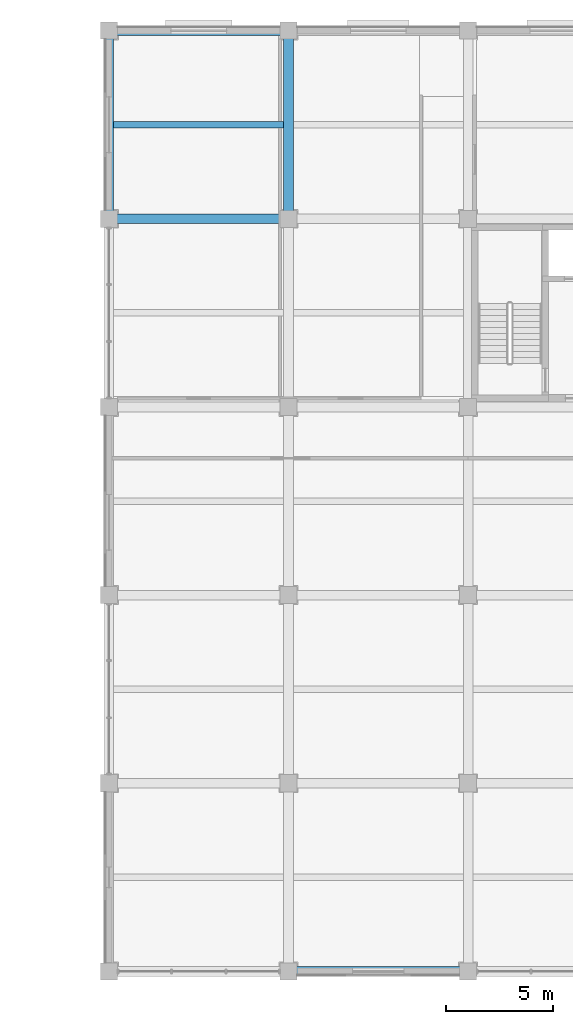
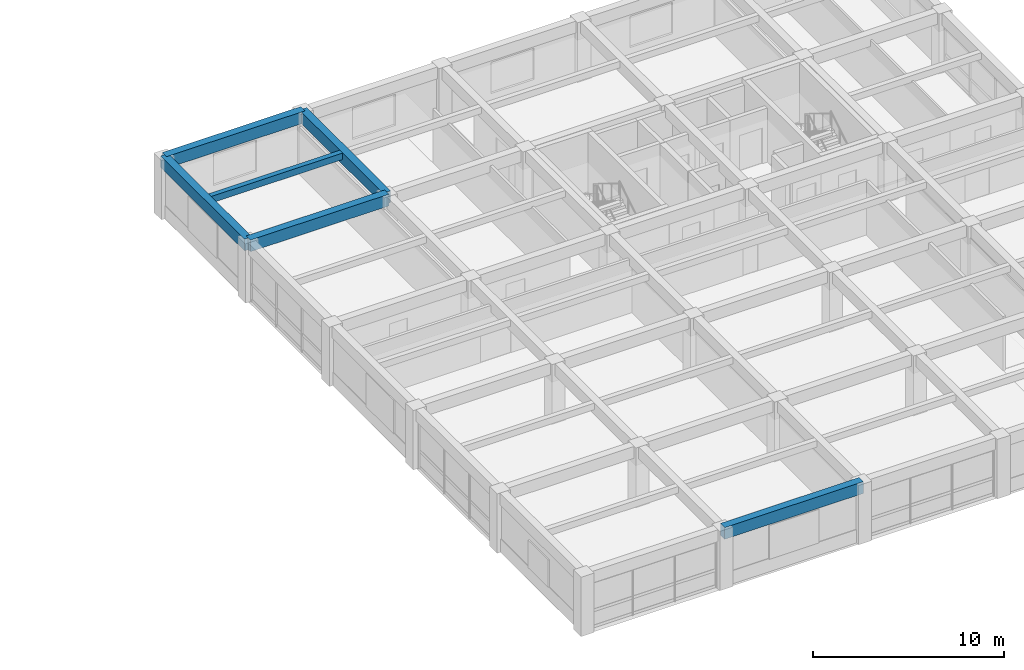
# One storey, part 3 of 16: 6 beams.
"""IFC4 building model written with IfcOpenShell, lengths in metres."""

from ifc_helpers import new_model, si_unit, direction, frame, origin, origin_2d, place, context, subcontext, project, spatial, rectangle, extrude, material, material_profile, profile_set, type_object, element, save


model = new_model("IFC4")

# Units and contexts
model_context = context("Model", 3, precision=1e-05, world=origin(), true_north=direction((0.0, 1.0)))
body_context = subcontext(model_context, "Body", "Model", "MODEL_VIEW")
ifc_project = project(units=[si_unit("LENGTHUNIT", "METRE"), si_unit("AREAUNIT", "SQUARE_METRE"), si_unit("VOLUMEUNIT", "CUBIC_METRE"), si_unit("PLANEANGLEUNIT", "RADIAN"), si_unit("MASSUNIT", "GRAM", prefix="KILO")], contexts=[model_context])

# Site, building, storey
site_placement = place(None, origin())
site = spatial("IfcSite", under=ifc_project, at=site_placement, CompositionType="ELEMENT")
building_placement = place(site_placement, origin())
building = spatial("IfcBuilding", under=site, at=building_placement, Name="Kemercrest Conservatory and Botanical Centre", CompositionType="ELEMENT")
storey_placement = place(building_placement, frame((0.0, 0.0, 17.199951171875)))
storey = spatial("IfcBuildingStorey", under=building, at=storey_placement, Name="L04", CompositionType="ELEMENT", Elevation=17.199951171875)

# Beams
ifc_material = material(Name="Concrete C40/50", Category="concrete")
ifc_material_profile_1 = material_profile(ifc_material, rectangle(XDim=0.449951171875, YDim=0.75, at=origin_2d()), Name="RC 450x750")
ifc_profile_set_1 = profile_set([ifc_material_profile_1], Name="Concrete C40/50")
beam_type_1 = type_object("IfcBeamType", Name="BM-RC75", PredefinedType="BEAM", material=ifc_profile_set_1)
beam_1_placement = place(storey_placement, frame((134.0, 113.60009765625, 3.425048828125), z_axis=(1.0, 0.0, 0.0), x_axis=(0.0, 1.0, 0.0)))
element("IfcBeam", 1, at=beam_1_placement, inside=storey, type_object=beam_type_1, Name="V4-L05 beam BM-RC75 N/16-17", PredefinedType="BEAM", context=body_context, shape_type="SweptSolid", body=[
    extrude(rectangle(XDim=0.449951171875, YDim=0.75, at=origin_2d()), origin(), (0.0, 0.0, 1.0), 8.39990234375),
])
beam_2_placement = place(storey_placement, frame((142.39990234375, 113.60009765625, 3.425048828125), z_axis=(0.0, 1.0, 0.0), x_axis=(-1.0, 0.0, 0.0)))
element("IfcBeam", 2, at=beam_2_placement, inside=storey, type_object=beam_type_1, Name="V4-L05 beam BM-RC75 17/N-P", PredefinedType="BEAM", context=body_context, shape_type="SweptSolid", body=[
    extrude(rectangle(XDim=0.449951171875, YDim=0.75, at=origin_2d()), origin(), (0.0, 0.0, 1.0), 8.7998046875),
])
ifc_material_profile_2 = material_profile(ifc_material, rectangle(XDim=0.300048828125, YDim=0.419921875, at=origin_2d()), Name="RC 300x420")
ifc_profile_set_2 = profile_set([ifc_material_profile_2], Name="Concrete C40/50")
beam_type_2 = type_object("IfcBeamType", Name="JS-RC42", PredefinedType="JOIST", material=ifc_profile_set_2)
beam_3_placement = place(storey_placement, frame((134.22509765625, 118.0, 3.590087890625), z_axis=(1.0, 0.0, 0.0), x_axis=(0.0, 1.0, 0.0)))
element("IfcBeam", 3, at=beam_3_placement, inside=storey, type_object=beam_type_2, Name="V4-L05 secondary joist JS-RC42", PredefinedType="JOIST", context=body_context, shape_type="SweptSolid", body=[
    extrude(rectangle(XDim=0.300048828125, YDim=0.419921875, at=origin_2d()), origin(), (0.0, 0.0, 1.0), 7.949951171875),
])
ifc_material_profile_3 = material_profile(ifc_material, rectangle(XDim=0.449951171875, YDim=0.75, at=origin_2d()), Name="RC 450x750")
ifc_profile_set_3 = profile_set([ifc_material_profile_3], Name="Concrete C40/50")
beam_type_3 = type_object("IfcBeamType", Name="SP-RC75", PredefinedType="SPANDREL", material=ifc_profile_set_3)
beam_4_placement = place(storey_placement, frame((142.39990234375, 78.39990234375, 3.425048828125), z_axis=(1.0, 0.0, 0.0), x_axis=(0.0, 1.0, 0.0)))
element("IfcBeam", 4, at=beam_4_placement, inside=storey, type_object=beam_type_3, Name="V4-L05 beam SP-RC75 J/17-18", PredefinedType="SPANDREL", context=body_context, shape_type="SweptSolid", body=[
    extrude(rectangle(XDim=0.449951171875, YDim=0.75, at=origin_2d()), origin(), (0.0, 0.0, 1.0), 8.400146484375),
])
beam_5_placement = place(storey_placement, frame((134.0, 122.39990234375, 3.425048828125), z_axis=(1.0, 0.0, 0.0), x_axis=(0.0, 1.0, 0.0)))
element("IfcBeam", 5, at=beam_5_placement, inside=storey, type_object=beam_type_3, Name="V4-L05 beam SP-RC75 P/16-17", PredefinedType="SPANDREL", context=body_context, shape_type="SweptSolid", body=[
    extrude(rectangle(XDim=0.449951171875, YDim=0.75, at=origin_2d()), origin(), (0.0, 0.0, 1.0), 8.39990234375),
])
beam_6_placement = place(storey_placement, frame((134.0, 113.60009765625, 3.425048828125), z_axis=(0.0, 1.0, 0.0), x_axis=(-1.0, 0.0, 0.0)))
element("IfcBeam", 6, at=beam_6_placement, inside=storey, type_object=beam_type_3, Name="V4-L05 beam SP-RC75 16/N-P", PredefinedType="SPANDREL", context=body_context, shape_type="SweptSolid", body=[
    extrude(rectangle(XDim=0.449951171875, YDim=0.75, at=origin_2d()), origin(), (0.0, 0.0, 1.0), 8.7998046875),
])

save(model, "model.ifc")
